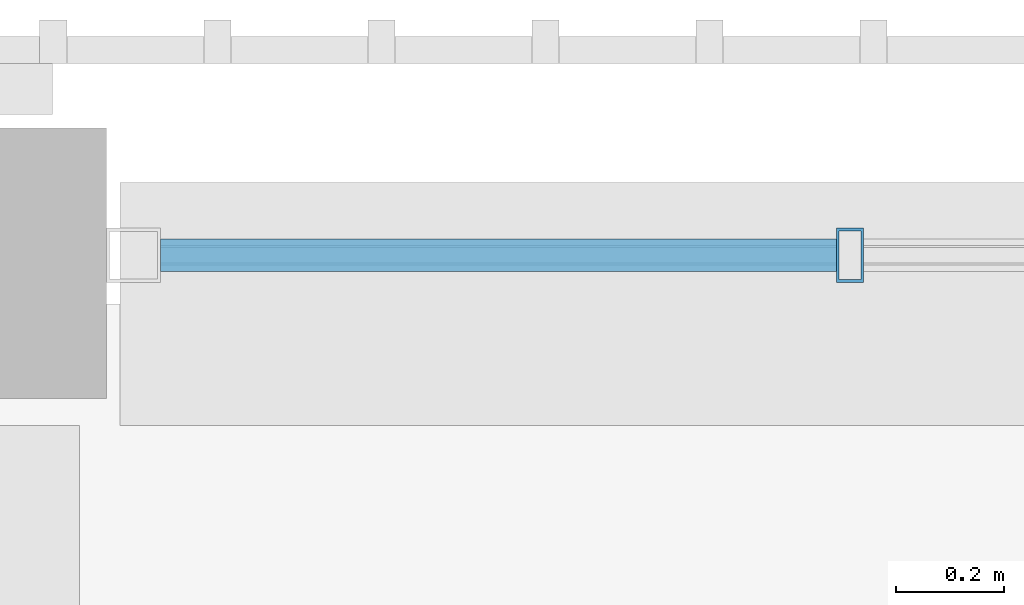
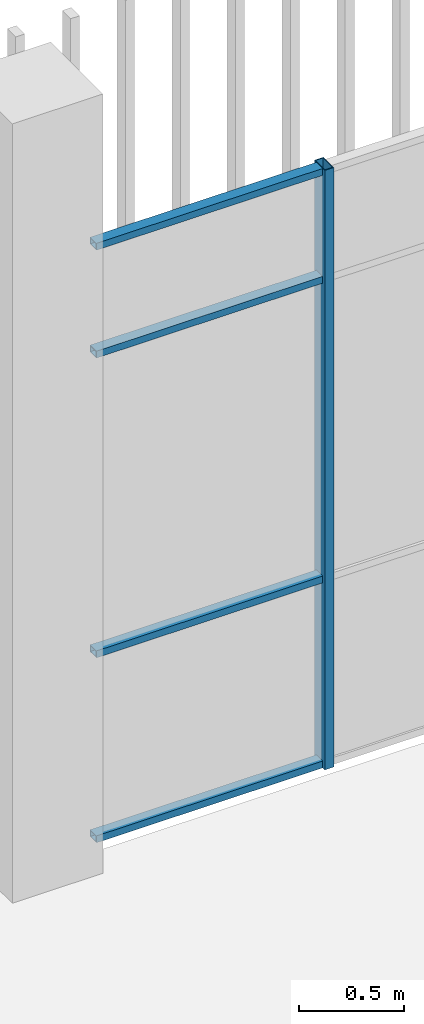
# One storey, part 48 of 124: 5 members, 1 element without a shape of its own.
"""IFC4 building model written with IfcOpenShell, lengths in metres."""

from ifc_helpers import new_model, si_unit, direction, frame, origin, origin_2d, place, context, subcontext, project, spatial, hollow_rectangle, extrude, material, layer, layer_set, material_profile, profile_set, type_object, element, aggregate, save


model = new_model("IFC4")

# Units and contexts
model_context = context("Model", 3, precision=1e-05, world=origin(), true_north=direction((0.0, 1.0)))
body_context = subcontext(model_context, "Body", "Model", "MODEL_VIEW")
ifc_project = project(units=[si_unit("LENGTHUNIT", "METRE"), si_unit("AREAUNIT", "SQUARE_METRE"), si_unit("VOLUMEUNIT", "CUBIC_METRE"), si_unit("PLANEANGLEUNIT", "RADIAN"), si_unit("MASSUNIT", "GRAM", prefix="KILO")], contexts=[model_context])

# Site, building, storey
site_placement = place(None, origin())
site = spatial("IfcSite", under=ifc_project, at=site_placement, CompositionType="ELEMENT")
building_placement = place(site_placement, origin())
building = spatial("IfcBuilding", under=site, at=building_placement, Name="Shirokan Park Arena", CompositionType="ELEMENT")
storey_placement = place(building_placement, frame((0.0, 0.0, 20.02001953125)))
storey = spatial("IfcBuildingStorey", under=building, at=storey_placement, Name="L04", CompositionType="ELEMENT", Elevation=20.02001953125)

# Curtain wall, members
ifc_material_1 = material(Name="Steel and glass curtain wall", Category="steel")
ifc_layer = layer(ifc_material_1, 0.1201171875)
ifc_layer_set = layer_set([ifc_layer], Name="Steel and glass curtain wall 120 mm")
curtain_wall_type = type_object("IfcCurtainWallType", Name="Curtain wall corner block side bay 120", PredefinedType="NOTDEFINED", material=ifc_layer_set)
curtain_wall_placement = place(storey_placement, origin())
curtain_wall = element("IfcCurtainWall", 1, at=curtain_wall_placement, inside=storey, type_object=curtain_wall_type, Name="Curtain wall north bay 4 L04", PredefinedType="NOTDEFINED")
ifc_material_2 = material(Name="Steel S355", Category="steel")
ifc_material_profile_1 = material_profile(ifc_material_2, hollow_rectangle(XDim=0.10009765625, YDim=0.050048828125, WallThickness=0.0048828125, at=origin_2d()), Name="RHS 100x50x5")
ifc_profile_set_1 = profile_set([ifc_material_profile_1], Name="Steel S355")
member_type_1 = type_object("IfcMemberType", Name="Mullion RHS 100x50x5", PredefinedType="MULLION", material=ifc_profile_set_1)
member_1_placement = place(storey_placement, frame((110.824951171875, 109.2900390625, 0.0), z_axis=(0.0, 0.0, 1.0), x_axis=(0.0, -1.0, 0.0)))
member_1 = element("IfcMember", 2, at=member_1_placement, type_object=member_type_1, Name="CW3 mullion 2", PredefinedType="MULLION", context=body_context, shape_type="SweptSolid", body=[
    extrude(hollow_rectangle(XDim=0.10009765625, YDim=0.050048828125, WallThickness=0.0048828125, at=origin_2d()), origin(), (0.0, 0.0, 1.0), 3.5),
])
ifc_material_profile_2 = material_profile(ifc_material_2, hollow_rectangle(XDim=0.06005859375, YDim=0.0400390625, WallThickness=0.00390625, at=origin_2d()), Name="RHS 60x40x4")
ifc_profile_set_2 = profile_set([ifc_material_profile_2], Name="Steel S355")
member_type_2 = type_object("IfcMemberType", Name="Transom RHS 60x40x4", PredefinedType="MULLION", material=ifc_profile_set_2)
member_2_placement = place(storey_placement, frame((110.800048828125, 109.2900390625, 0.02001953125), z_axis=(-1.0, 0.0, 0.0), x_axis=(0.0, -1.0, 0.0)))
member_2 = element("IfcMember", 3, at=member_2_placement, type_object=member_type_2, Name="CW3 transom 2.1", PredefinedType="MULLION", context=body_context, shape_type="SweptSolid", body=[
    extrude(hollow_rectangle(XDim=0.06005859375, YDim=0.0400390625, WallThickness=0.00390625, at=origin_2d()), origin(), (0.0, 0.0, 1.0), 1.25),
])
member_3_placement = place(storey_placement, frame((110.800048828125, 109.2900390625, 1.10009765625), z_axis=(-1.0, 0.0, 0.0), x_axis=(0.0, -1.0, 0.0)))
member_3 = element("IfcMember", 4, at=member_3_placement, type_object=member_type_2, Name="CW3 transom 2.2", PredefinedType="MULLION", context=body_context, shape_type="SweptSolid", body=[
    extrude(hollow_rectangle(XDim=0.06005859375, YDim=0.0400390625, WallThickness=0.00390625, at=origin_2d()), origin(), (0.0, 0.0, 1.0), 1.25),
])
member_4_placement = place(storey_placement, frame((110.800048828125, 109.2900390625, 2.85009765625), z_axis=(-1.0, 0.0, 0.0), x_axis=(0.0, -1.0, 0.0)))
member_4 = element("IfcMember", 5, at=member_4_placement, type_object=member_type_2, Name="CW3 transom 2.3", PredefinedType="MULLION", context=body_context, shape_type="SweptSolid", body=[
    extrude(hollow_rectangle(XDim=0.06005859375, YDim=0.0400390625, WallThickness=0.00390625, at=origin_2d()), origin(), (0.0, 0.0, 1.0), 1.25),
])
member_5_placement = place(storey_placement, frame((110.800048828125, 109.2900390625, 3.47998046875), z_axis=(-1.0, 0.0, 0.0), x_axis=(0.0, -1.0, 0.0)))
member_5 = element("IfcMember", 6, at=member_5_placement, type_object=member_type_2, Name="CW3 transom 2.4", PredefinedType="MULLION", context=body_context, shape_type="SweptSolid", body=[
    extrude(hollow_rectangle(XDim=0.06005859375, YDim=0.0400390625, WallThickness=0.00390625, at=origin_2d()), origin(), (0.0, 0.0, 1.0), 1.25),
])
aggregate(curtain_wall, [member_1, member_2, member_3, member_4, member_5])

save(model, "model.ifc")
